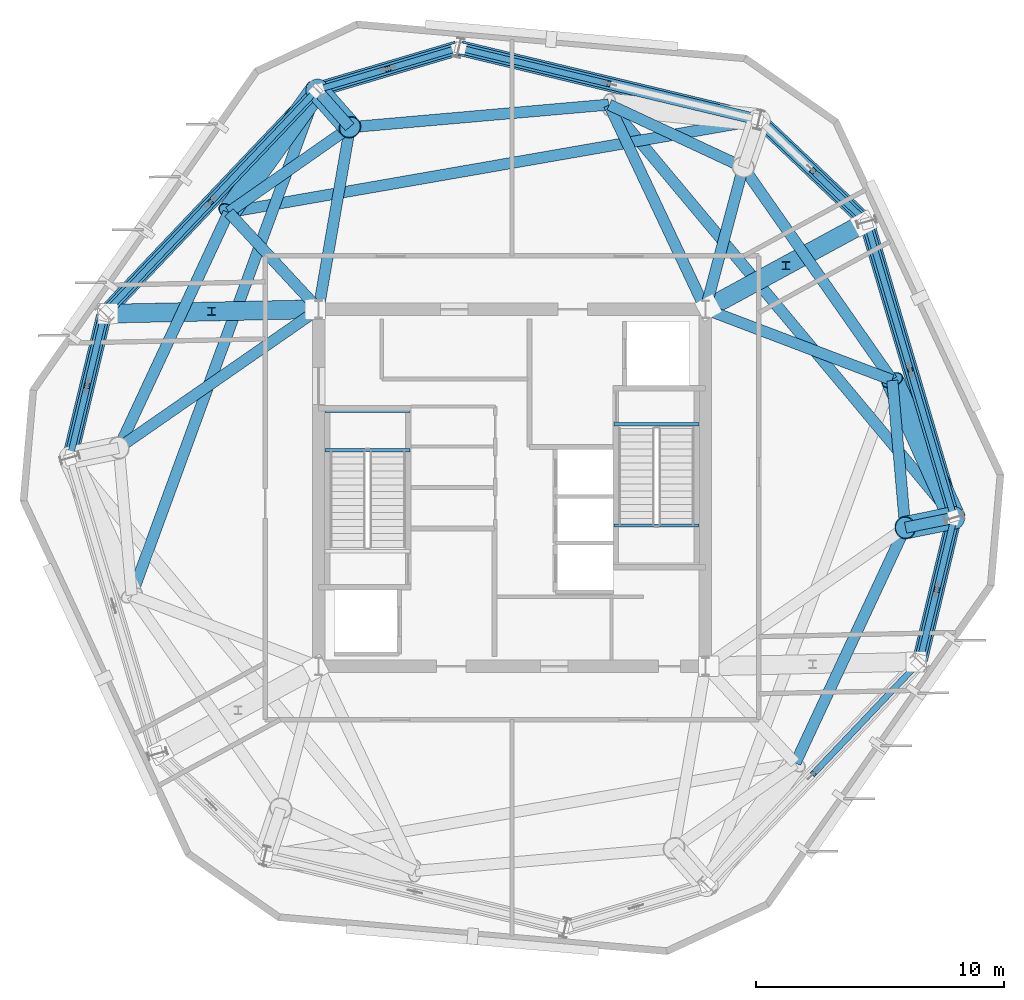
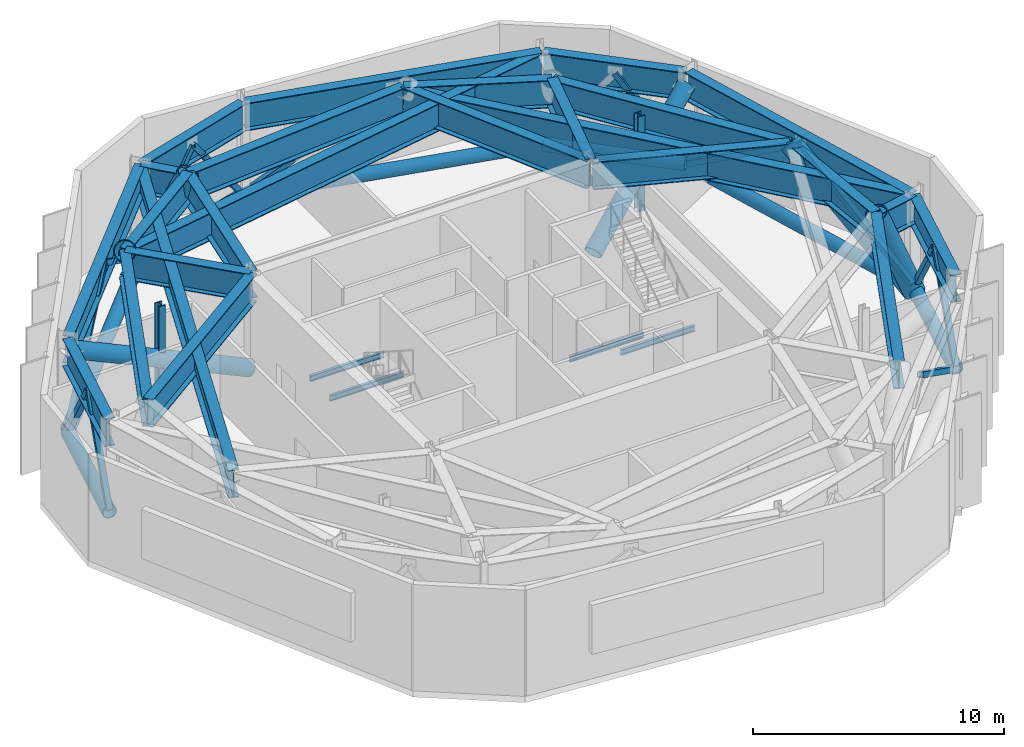
# One storey, part 2 of 10: 29 beams, 28 members.
"""IFC4 building model written with IfcOpenShell, lengths in metres."""

from ifc_helpers import new_model, si_unit, direction, frame, origin, origin_2d, place, context, subcontext, project, spatial, hollow_rectangle, hollow_circle, i_section, extrude, material, material_profile, profile_set, type_object, element, save


model = new_model("IFC4")

# Units and contexts
model_context = context("Model", 3, precision=1e-05, world=origin(), true_north=direction((0.0, 1.0)))
body_context = subcontext(model_context, "Body", "Model", "MODEL_VIEW")
ifc_project = project(units=[si_unit("LENGTHUNIT", "METRE"), si_unit("AREAUNIT", "SQUARE_METRE"), si_unit("VOLUMEUNIT", "CUBIC_METRE"), si_unit("PLANEANGLEUNIT", "RADIAN"), si_unit("MASSUNIT", "GRAM", prefix="KILO")], contexts=[model_context])

# Site, building, storey
site_placement = place(None, origin())
site = spatial("IfcSite", under=ifc_project, at=site_placement, CompositionType="ELEMENT")
building_placement = place(site_placement, origin())
building = spatial("IfcBuilding", under=site, at=building_placement, Name="Kranzbogen Civic Tower", CompositionType="ELEMENT")
storey_placement = place(building_placement, frame((0.0, 0.0, 244.800048828125)))
storey = spatial("IfcBuildingStorey", under=building, at=storey_placement, Name="L59", CompositionType="ELEMENT", Elevation=244.800048828125)

# Members
ifc_material_1 = material(Name="Steel S355", Category="steel")
ifc_material_profile_1 = material_profile(ifc_material_1, hollow_circle(Radius=0.304931640625, WallThickness=0.030029296875, at=origin_2d()), Name="CHS 610x30")
ifc_profile_set_1 = profile_set([ifc_material_profile_1], Name="Steel S355")
member_type_1 = type_object("IfcMemberType", Name="Belt Truss Bottom Chord CHS 610x30", PredefinedType="CHORD", material=ifc_profile_set_1)
member_1_placement = place(storey_placement, frame((41.451904296875, 18.06201171875, 0.550048828125), z_axis=(0.233530246338, 0.972349537998, 0.0), x_axis=(-0.972349537998, 0.233530246338, 0.0)))
element("IfcMember", 1, at=member_1_placement, inside=storey, type_object=member_type_1, Name="RNG-1: L59 belt truss bottom chord 05", PredefinedType="CHORD", context=body_context, shape_type="SweptSolid", body=[
    extrude(hollow_circle(Radius=0.304931640625, WallThickness=0.030029296875, at=origin_2d()), origin(), (0.0, 0.0, 1.0), 5.8115234375),
])
member_2_placement = place(storey_placement, frame((42.804931640625, 23.867919921875, 0.550048828125), z_axis=(-0.284007808424, 0.958821967184, 0.0), x_axis=(-0.958821967184, -0.284007808424, 0.0)))
element("IfcMember", 2, at=member_2_placement, inside=storey, type_object=member_type_1, Name="RNG-1: L59 belt truss bottom chord 06", PredefinedType="CHORD", context=body_context, shape_type="SweptSolid", body=[
    extrude(hollow_circle(Radius=0.304931640625, WallThickness=0.030029296875, at=origin_2d()), origin(), (0.0, 0.0, 1.0), 12.284912109375),
])
member_3_placement = place(storey_placement, frame((39.235107421875, 35.779052734375, 0.550048828125), z_axis=(-0.725367430989, 0.688361888879, 0.0), x_axis=(-0.688361888879, -0.725367430989, 0.0)))
element("IfcMember", 3, at=member_3_placement, inside=storey, type_object=member_type_1, Name="RNG-1: L59 belt truss bottom chord 07", PredefinedType="CHORD", context=body_context, shape_type="SweptSolid", body=[
    extrude(hollow_circle(Radius=0.304931640625, WallThickness=0.030029296875, at=origin_2d()), origin(), (0.0, 0.0, 1.0), 5.812255859375),
])
member_4_placement = place(storey_placement, frame((34.883056640625, 39.85400390625, 0.550048828125), z_axis=(-0.972384956716, 0.233382724195, 0.0), x_axis=(-0.233382724195, -0.972384956716, 0.0)))
element("IfcMember", 4, at=member_4_placement, inside=storey, type_object=member_type_1, Name="RNG-1: L59 belt truss bottom chord 08", PredefinedType="CHORD", context=body_context, shape_type="SweptSolid", body=[
    extrude(hollow_circle(Radius=0.304931640625, WallThickness=0.030029296875, at=origin_2d()), origin(), (0.0, 0.0, 1.0), 12.2841796875),
])
member_5_placement = place(storey_placement, frame((22.782958984375, 42.717041015625, 0.550048828125), z_axis=(-0.958850218904, -0.283912412037, 0.0), x_axis=(0.283912412037, -0.958850218904, 0.0)))
element("IfcMember", 5, at=member_5_placement, inside=storey, type_object=member_type_1, Name="RNG-1: L59 belt truss bottom chord 09", PredefinedType="CHORD", context=body_context, shape_type="SweptSolid", body=[
    extrude(hollow_circle(Radius=0.304931640625, WallThickness=0.030029296875, at=origin_2d()), origin(), (0.0, 0.0, 1.0), 5.812255859375),
])
member_6_placement = place(storey_placement, frame((17.077880859375, 40.986083984375, 0.550048828125), z_axis=(-0.688291808175, -0.725433930002, 0.0), x_axis=(0.725433930002, -0.688291808175, 0.0)))
element("IfcMember", 6, at=member_6_placement, inside=storey, type_object=member_type_1, Name="RNG-1: L59 belt truss bottom chord 10", PredefinedType="CHORD", context=body_context, shape_type="SweptSolid", body=[
    extrude(hollow_circle(Radius=0.304931640625, WallThickness=0.030029296875, at=origin_2d()), origin(), (0.0, 0.0, 1.0), 12.28515625),
])
member_7_placement = place(storey_placement, frame((8.548095703125, 31.93798828125, 0.550048828125), z_axis=(-0.233530246338, -0.972349537998, 0.0), x_axis=(0.972349537998, -0.233530246338, 0.0)))
element("IfcMember", 7, at=member_7_placement, inside=storey, type_object=member_type_1, Name="RNG-1: L59 belt truss bottom chord 11", PredefinedType="CHORD", context=body_context, shape_type="SweptSolid", body=[
    extrude(hollow_circle(Radius=0.304931640625, WallThickness=0.030029296875, at=origin_2d()), origin(), (0.0, 0.0, 1.0), 5.8115234375),
])
ifc_material_2 = material(Name="Steel S460", Category="steel")
ifc_material_profile_2 = material_profile(ifc_material_2, hollow_circle(Radius=0.381103515625, WallThickness=0.031982421875, at=origin_2d()), Name="CHS 762x32")
ifc_profile_set_2 = profile_set([ifc_material_profile_2], Name="Steel S460")
member_type_2 = type_object("IfcMemberType", Name="Outrigger Truss Chord CHS 762x32", PredefinedType="CHORD", material=ifc_profile_set_2)
member_8_placement = place(storey_placement, frame((32.931884765625, 32.27197265625, 0.550048828125), z_axis=(0.768660792644, 0.417108594268, 0.484954643693), x_axis=(-0.476946653565, 0.878932244063, 0.0)))
element("IfcMember", 8, at=member_8_placement, inside=storey, type_object=member_type_2, Name="OUT-1: L59 radial outrigger strut 3", PredefinedType="CHORD", context=body_context, shape_type="SweptSolid", body=[
    extrude(hollow_circle(Radius=0.381103515625, WallThickness=0.031982421875, at=origin_2d()), origin(), (0.0, 0.0, 1.0), 8.103759765625),
])
member_9_placement = place(storey_placement, frame((17.050048828125, 32.197021484375, 0.550048828125), z_axis=(-0.904293549718, -0.019314133298, 0.426474079158), x_axis=(0.021353386296, -0.999771990453, 0.0)))
element("IfcMember", 9, at=member_9_placement, inside=storey, type_object=member_type_2, Name="OUT-1: L59 radial outrigger strut 4", PredefinedType="CHORD", context=body_context, shape_type="SweptSolid", body=[
    extrude(hollow_circle(Radius=0.381103515625, WallThickness=0.031982421875, at=origin_2d()), origin(), (0.0, 0.0, 1.0), 9.21484375),
])
ifc_material_profile_3 = material_profile(ifc_material_1, i_section(OverallWidth=0.31005859375, OverallDepth=0.340087890625, WebThickness=0.02099609375, FlangeThickness=0.0390625, at=origin_2d()), Name="HEM 300")
ifc_profile_set_3 = profile_set([ifc_material_profile_3], Name="Steel S355")
member_type_3 = type_object("IfcMemberType", Name="Outrigger Truss Vertical Post HEM 300", PredefinedType="POST", material=ifc_profile_set_3)
for number, where, z_axis, x_axis, name in (
    (10, (36.047119140625, 33.9619140625, 0.550048828125), (0.0, 0.0, 1.0), (1.0, 0.0, 0.0), "PST-3: L59 outrigger web post 3"),
    (11, (12.884033203125, 32.10791015625, 0.550048828125), (0.0, 0.0, 1.0), (1.0, 0.0, 0.0), "PST-3: L59 outrigger web post 4"),
):
    element("IfcMember", number, at=place(storey_placement, frame(where, z_axis=z_axis, x_axis=x_axis)), inside=storey, type_object=member_type_3, Name=name, PredefinedType="POST", context=body_context, shape_type="SweptSolid", body=[
        extrude(i_section(OverallWidth=0.31005859375, OverallDepth=0.340087890625, WebThickness=0.02099609375, FlangeThickness=0.0390625, at=origin_2d()), origin(), (0.0, 0.0, 1.0), 4.6298828125),
    ])
ifc_material_profile_4 = material_profile(ifc_material_2, hollow_circle(Radius=0.45703125, WallThickness=0.035888671875, at=origin_2d()), Name="CHS 914x36")
ifc_profile_set_4 = profile_set([ifc_material_profile_4], Name="Steel S460")
member_type_4 = type_object("IfcMemberType", Name="Portal Arch Thrust Strut CHS 914x36", PredefinedType="STRUT", material=ifc_profile_set_4)
member_10_placement = place(storey_placement, frame((42.827880859375, 23.791015625, 0.349853515625), z_axis=(-0.383786635251, -0.078030125197, 0.920119078252), x_axis=(0.199240071338, -0.979950709971, 0.0)))
element("IfcMember", 12, at=member_10_placement, inside=storey, type_object=member_type_4, Name="STR-1: L59 inclined perimeter transfer strut 06", PredefinedType="STRUT", context=body_context, shape_type="SweptSolid", body=[
    extrude(hollow_circle(Radius=0.45703125, WallThickness=0.035888671875, at=origin_2d()), origin(), (0.0, 0.0, 1.0), 5.140625),
])
member_11_placement = place(storey_placement, frame((42.827880859375, 23.791015625, 0.349853515625), z_axis=(-0.323654558927, 0.720024459287, 0.613850555522), x_axis=(-0.912090399557, -0.4099891499, 0.0)))
element("IfcMember", 13, at=member_11_placement, inside=storey, type_object=member_type_4, Name="STR-1: L59 inclined perimeter transfer strut 07", PredefinedType="STRUT", context=body_context, shape_type="SweptSolid", body=[
    extrude(hollow_circle(Radius=0.45703125, WallThickness=0.035888671875, at=origin_2d()), origin(), (0.0, 0.0, 1.0), 7.705322265625),
])
member_12_placement = place(storey_placement, frame((17.133056640625, 41.0439453125, 0.349853515625), z_axis=(0.25949632488, -0.293358125693, 0.920110138768), x_axis=(0.749012763588, 0.662555567467, 0.0)))
element("IfcMember", 14, at=member_12_placement, inside=storey, type_object=member_type_4, Name="STR-1: L59 inclined perimeter transfer strut 10", PredefinedType="STRUT", context=body_context, shape_type="SweptSolid", body=[
    extrude(hollow_circle(Radius=0.45703125, WallThickness=0.035888671875, at=origin_2d()), origin(), (0.0, 0.0, 1.0), 5.140625),
])
member_13_placement = place(storey_placement, frame((17.133056640625, 41.0439453125, 0.349853515625), z_axis=(-0.461758461529, -0.640296195213, 0.613840293238), x_axis=(0.811086486954, -0.584926243796, 0.0)))
element("IfcMember", 15, at=member_13_placement, inside=storey, type_object=member_type_4, Name="STR-1: L59 inclined perimeter transfer strut 11", PredefinedType="STRUT", context=body_context, shape_type="SweptSolid", body=[
    extrude(hollow_circle(Radius=0.45703125, WallThickness=0.035888671875, at=origin_2d()), origin(), (0.0, 0.0, 1.0), 7.70556640625),
])

# Beams
ifc_material_profile_5 = material_profile(ifc_material_1, i_section(OverallWidth=0.135009765625, OverallDepth=0.27001953125, WebThickness=0.006591796875, FlangeThickness=0.01025390625, at=origin_2d()), Name="IPE 270")
ifc_profile_set_5 = profile_set([ifc_material_profile_5], Name="Steel S355")
beam_type_1 = type_object("IfcBeamType", Name="Stair Landing Support Beam IPE 270", PredefinedType="JOIST", material=ifc_profile_set_5)
for number, where, z_axis, x_axis, name in (
    (16, (20.8798828125, 26.52001953125, 2.364990234375), (-1.0, 0.0, 0.0), (0.0, -1.0, 0.0), "L59 ST-T1 landing support beam 1.1"),
    (17, (20.8798828125, 28.10009765625, 2.364990234375), (-1.0, 0.0, 0.0), (0.0, -1.0, 0.0), "L59 ST-T1 landing support beam 1.2"),
    (18, (29.1201171875, 27.56005859375, -0.43505859375), (1.0, 0.0, 0.0), (0.0, 1.0, 0.0), "L59 ST-T2 stair floor header beam"),
    (19, (29.1201171875, 23.47998046875, 2.364990234375), (1.0, 0.0, 0.0), (0.0, 1.0, 0.0), "L59 ST-T2 landing support beam 1.1"),
):
    element("IfcBeam", number, at=place(storey_placement, frame(where, z_axis=z_axis, x_axis=x_axis)), inside=storey, type_object=beam_type_1, Name=name, PredefinedType="JOIST", context=body_context, shape_type="SweptSolid", body=[
        extrude(i_section(OverallWidth=0.135009765625, OverallDepth=0.27001953125, WebThickness=0.006591796875, FlangeThickness=0.01025390625, at=origin_2d()), origin(), (0.0, 0.0, 1.0), 3.409912109375),
    ])
ifc_material_profile_6 = material_profile(ifc_material_2, i_section(OverallWidth=0.449951171875, OverallDepth=1.35009765625, WebThickness=0.02392578125, FlangeThickness=0.0380859375, at=origin_2d()), Name="WPG 1350x450x24x38")
ifc_profile_set_6 = profile_set([ifc_material_profile_6], Name="Steel S460")
beam_type_2 = type_object("IfcBeamType", Name="Welded Transfer Girder WPG 1350x450x24x38", PredefinedType="BEAM", material=ifc_profile_set_6)
beam_1_placement = place(storey_placement, frame((41.447021484375, 18.0419921875, 4.454833984375), z_axis=(0.233554380434, 0.972343741369, 0.0), x_axis=(-0.972343741369, 0.233554380434, 0.0)))
element("IfcBeam", 20, at=beam_1_placement, inside=storey, type_object=beam_type_2, Name="TG-1350: L59 lower perimeter transfer ring girder 05", PredefinedType="BEAM", context=body_context, shape_type="SweptSolid", body=[
    extrude(i_section(OverallWidth=0.449951171875, OverallDepth=1.35009765625, WebThickness=0.02392578125, FlangeThickness=0.0380859375, at=origin_2d()), origin(), (0.0, 0.0, 1.0), 5.852783203125),
])
beam_2_placement = place(storey_placement, frame((42.81103515625, 23.84912109375, 4.454833984375), z_axis=(-0.284064048956, 0.958805306666, 0.0), x_axis=(-0.958805306666, -0.284064048956, 0.0)))
element("IfcBeam", 21, at=beam_2_placement, inside=storey, type_object=beam_type_2, Name="TG-1350: L59 lower perimeter transfer ring girder 06", PredefinedType="BEAM", context=body_context, shape_type="SweptSolid", body=[
    extrude(i_section(OverallWidth=0.449951171875, OverallDepth=1.35009765625, WebThickness=0.02392578125, FlangeThickness=0.0380859375, at=origin_2d()), origin(), (0.0, 0.0, 1.0), 12.32470703125),
])
beam_3_placement = place(storey_placement, frame((39.2490234375, 35.764892578125, 4.454833984375), z_axis=(-0.725245206788, 0.688490660816, 0.0), x_axis=(-0.688490660816, -0.725245206788, 0.0)))
element("IfcBeam", 22, at=beam_3_placement, inside=storey, type_object=beam_type_2, Name="TG-1350: L59 lower perimeter transfer ring girder 07", PredefinedType="BEAM", context=body_context, shape_type="SweptSolid", body=[
    extrude(i_section(OverallWidth=0.449951171875, OverallDepth=1.35009765625, WebThickness=0.02392578125, FlangeThickness=0.0380859375, at=origin_2d()), origin(), (0.0, 0.0, 1.0), 5.85205078125),
])
beam_4_placement = place(storey_placement, frame((34.903076171875, 39.84912109375, 4.454833984375), z_axis=(-0.972377592092, 0.233413406637, 0.0), x_axis=(-0.233413406637, -0.972377592092, 0.0)))
element("IfcBeam", 23, at=beam_4_placement, inside=storey, type_object=beam_type_2, Name="TG-1350: L59 lower perimeter transfer ring girder 08", PredefinedType="BEAM", context=body_context, shape_type="SweptSolid", body=[
    extrude(i_section(OverallWidth=0.449951171875, OverallDepth=1.35009765625, WebThickness=0.02392578125, FlangeThickness=0.0380859375, at=origin_2d()), origin(), (0.0, 0.0, 1.0), 12.32568359375),
])
beam_5_placement = place(storey_placement, frame((22.802001953125, 42.722900390625, 4.454833984375), z_axis=(-0.9588296723, -0.283981794341, 0.0), x_axis=(0.283981794341, -0.9588296723, 0.0)))
element("IfcBeam", 24, at=beam_5_placement, inside=storey, type_object=beam_type_2, Name="TG-1350: L59 lower perimeter transfer ring girder 09", PredefinedType="BEAM", context=body_context, shape_type="SweptSolid", body=[
    extrude(i_section(OverallWidth=0.449951171875, OverallDepth=1.35009765625, WebThickness=0.02392578125, FlangeThickness=0.0380859375, at=origin_2d()), origin(), (0.0, 0.0, 1.0), 5.85205078125),
])
beam_6_placement = place(storey_placement, frame((17.092041015625, 41.0, 4.454833984375), z_axis=(-0.688373497874, -0.725356414065, 0.0), x_axis=(0.725356414065, -0.688373497874, 0.0)))
element("IfcBeam", 25, at=beam_6_placement, inside=storey, type_object=beam_type_2, Name="TG-1350: L59 lower perimeter transfer ring girder 10", PredefinedType="BEAM", context=body_context, shape_type="SweptSolid", body=[
    extrude(i_section(OverallWidth=0.449951171875, OverallDepth=1.35009765625, WebThickness=0.02392578125, FlangeThickness=0.0380859375, at=origin_2d()), origin(), (0.0, 0.0, 1.0), 12.324951171875),
])
beam_7_placement = place(storey_placement, frame((8.552978515625, 31.9580078125, 4.454833984375), z_axis=(-0.233554380434, -0.972343741369, 0.0), x_axis=(0.972343741369, -0.233554380434, 0.0)))
element("IfcBeam", 26, at=beam_7_placement, inside=storey, type_object=beam_type_2, Name="TG-1350: L59 lower perimeter transfer ring girder 11", PredefinedType="BEAM", context=body_context, shape_type="SweptSolid", body=[
    extrude(i_section(OverallWidth=0.449951171875, OverallDepth=1.35009765625, WebThickness=0.02392578125, FlangeThickness=0.0380859375, at=origin_2d()), origin(), (0.0, 0.0, 1.0), 5.852783203125),
])
beam_8_placement = place(storey_placement, frame((36.430908203125, 13.904052734375, 4.5048828125), z_axis=(0.422726890812, 0.906257124543, 0.0), x_axis=(-0.906257124543, 0.422726890812, 0.0)))
element("IfcBeam", 27, at=beam_8_placement, inside=storey, type_object=beam_type_2, Name="TG-1350: L59 upper perimeter transfer ring girder 05", PredefinedType="BEAM", context=body_context, shape_type="SweptSolid", body=[
    extrude(i_section(OverallWidth=0.449951171875, OverallDepth=1.35009765625, WebThickness=0.02392578125, FlangeThickness=0.0380859375, at=origin_2d()), origin(), (0.0, 0.0, 1.0), 10.45166015625),
])
beam_9_placement = place(storey_placement, frame((40.85400390625, 23.405029296875, 4.5048828125), z_axis=(-0.087356563764, 0.996177108133, 0.0), x_axis=(-0.996177108133, -0.087356563764, 0.0)))
element("IfcBeam", 28, at=beam_9_placement, inside=storey, type_object=beam_type_2, Name="TG-1350: L59 upper perimeter transfer ring girder 06", PredefinedType="BEAM", context=body_context, shape_type="SweptSolid", body=[
    extrude(i_section(OverallWidth=0.449951171875, OverallDepth=1.35009765625, WebThickness=0.02392578125, FlangeThickness=0.0380859375, at=origin_2d()), origin(), (0.0, 0.0, 1.0), 5.941650390625),
])
beam_10_placement = place(storey_placement, frame((40.324951171875, 29.35107421875, 4.5048828125), z_axis=(-0.57344980336, 0.819240699078, 0.0), x_axis=(-0.819240699078, -0.57344980336, 0.0)))
element("IfcBeam", 29, at=beam_10_placement, inside=storey, type_object=beam_type_2, Name="TG-1350: L59 upper perimeter transfer ring girder 07", PredefinedType="BEAM", context=body_context, shape_type="SweptSolid", body=[
    extrude(i_section(OverallWidth=0.449951171875, OverallDepth=1.35009765625, WebThickness=0.02392578125, FlangeThickness=0.0380859375, at=origin_2d()), origin(), (0.0, 0.0, 1.0), 10.452392578125),
])
beam_11_placement = place(storey_placement, frame((34.30810546875, 37.931884765625, 4.5048828125), z_axis=(-0.906234565805, 0.422775249677, 0.0), x_axis=(-0.422775249677, -0.906234565805, 0.0)))
element("IfcBeam", 30, at=beam_11_placement, inside=storey, type_object=beam_type_2, Name="TG-1350: L59 upper perimeter transfer ring girder 08", PredefinedType="BEAM", context=body_context, shape_type="SweptSolid", body=[
    extrude(i_section(OverallWidth=0.449951171875, OverallDepth=1.35009765625, WebThickness=0.02392578125, FlangeThickness=0.0380859375, at=origin_2d()), origin(), (0.0, 0.0, 1.0), 5.942138671875),
])
beam_12_placement = place(storey_placement, frame((28.89404296875, 40.448974609375, 4.5048828125), z_axis=(-0.996187021082, -0.087243446908, 0.0), x_axis=(0.087243446908, -0.996187021082, 0.0)))
element("IfcBeam", 31, at=beam_12_placement, inside=storey, type_object=beam_type_2, Name="TG-1350: L59 upper perimeter transfer ring girder 09", PredefinedType="BEAM", context=body_context, shape_type="SweptSolid", body=[
    extrude(i_section(OverallWidth=0.449951171875, OverallDepth=1.35009765625, WebThickness=0.02392578125, FlangeThickness=0.0380859375, at=origin_2d()), origin(), (0.0, 0.0, 1.0), 10.451904296875),
])
beam_13_placement = place(storey_placement, frame((18.455078125, 39.527099609375, 4.5048828125), z_axis=(-0.819193317267, -0.573517487916, 0.0), x_axis=(0.573517487916, -0.819193317267, 0.0)))
element("IfcBeam", 32, at=beam_13_placement, inside=storey, type_object=beam_type_2, Name="TG-1350: L59 upper perimeter transfer ring girder 10", PredefinedType="BEAM", context=body_context, shape_type="SweptSolid", body=[
    extrude(i_section(OverallWidth=0.449951171875, OverallDepth=1.35009765625, WebThickness=0.02392578125, FlangeThickness=0.0380859375, at=origin_2d()), origin(), (0.0, 0.0, 1.0), 5.942626953125),
])
beam_14_placement = place(storey_placement, frame((13.569091796875, 36.095947265625, 4.5048828125), z_axis=(-0.422726890812, -0.906257124543, 0.0), x_axis=(0.906257124543, -0.422726890812, 0.0)))
element("IfcBeam", 33, at=beam_14_placement, inside=storey, type_object=beam_type_2, Name="TG-1350: L59 upper perimeter transfer ring girder 11", PredefinedType="BEAM", context=body_context, shape_type="SweptSolid", body=[
    extrude(i_section(OverallWidth=0.449951171875, OverallDepth=1.35009765625, WebThickness=0.02392578125, FlangeThickness=0.0380859375, at=origin_2d()), origin(), (0.0, 0.0, 1.0), 10.45166015625),
])
beam_15_placement = place(storey_placement, frame((17.115966796875, 40.9970703125, 4.454833984375), z_axis=(-0.34399643493, -0.93897095416, 0.0), x_axis=(0.93897095416, -0.34399643493, 0.0)))
element("IfcBeam", 34, at=beam_15_placement, inside=storey, type_object=beam_type_2, Name="TG-1350: L59 perimeter column transfer girder 01", PredefinedType="BEAM", context=body_context, shape_type="SweptSolid", body=[
    extrude(i_section(OverallWidth=0.449951171875, OverallDepth=1.35009765625, WebThickness=0.02392578125, FlangeThickness=0.0380859375, at=origin_2d()), origin(), (0.0, 0.0, 1.0), 21.642822265625),
])
beam_16_placement = place(storey_placement, frame((42.779052734375, 23.781005859375, 4.454833984375), z_axis=(-0.979968596305, -0.199152078211, 0.0), x_axis=(0.199152078211, -0.979968596305, 0.0)))
element("IfcBeam", 35, at=beam_16_placement, inside=storey, type_object=beam_type_2, Name="TG-1350: L59 perimeter column transfer girder 06", PredefinedType="BEAM", context=body_context, shape_type="SweptSolid", body=[
    extrude(i_section(OverallWidth=0.449951171875, OverallDepth=1.35009765625, WebThickness=0.02392578125, FlangeThickness=0.0380859375, at=origin_2d()), origin(), (0.0, 0.0, 1.0), 1.947998046875),
])
beam_17_placement = place(storey_placement, frame((32.85595703125, 32.178955078125, 4.5048828125), z_axis=(0.934841847764, -0.355064388062, 0.0), x_axis=(0.355064388062, 0.934841847764, 0.0)))
element("IfcBeam", 36, at=beam_17_placement, inside=storey, type_object=beam_type_2, Name="TG-1350: L59 radial column transfer girder 07", PredefinedType="BEAM", context=body_context, shape_type="SweptSolid", body=[
    extrude(i_section(OverallWidth=0.449951171875, OverallDepth=1.35009765625, WebThickness=0.02392578125, FlangeThickness=0.0380859375, at=origin_2d()), origin(), (0.0, 0.0, 1.0), 7.984375),
])
beam_18_placement = place(storey_placement, frame((32.81494140625, 32.258056640625, 4.5048828125), z_axis=(0.256932731753, 0.966429289371, 0.0), x_axis=(-0.966429289371, 0.256932731753, 0.0)))
element("IfcBeam", 37, at=beam_18_placement, inside=storey, type_object=beam_type_2, Name="TG-1350: L59 radial column transfer girder 08", PredefinedType="BEAM", context=body_context, shape_type="SweptSolid", body=[
    extrude(i_section(OverallWidth=0.449951171875, OverallDepth=1.35009765625, WebThickness=0.02392578125, FlangeThickness=0.0380859375, at=origin_2d()), origin(), (0.0, 0.0, 1.0), 5.850341796875),
])
beam_19_placement = place(storey_placement, frame((32.77392578125, 32.25390625, 4.5048828125), z_axis=(-0.426563694078, 0.904457525202, 0.0), x_axis=(-0.904457525202, -0.426563694078, 0.0)))
element("IfcBeam", 38, at=beam_19_placement, inside=storey, type_object=beam_type_2, Name="TG-1350: L59 radial column transfer girder 09", PredefinedType="BEAM", context=body_context, shape_type="SweptSolid", body=[
    extrude(i_section(OverallWidth=0.449951171875, OverallDepth=1.35009765625, WebThickness=0.02392578125, FlangeThickness=0.0380859375, at=origin_2d()), origin(), (0.0, 0.0, 1.0), 9.04638671875),
])
beam_20_placement = place(storey_placement, frame((42.7958984375, 23.8291015625, 4.454833984375), z_axis=(-0.641171357955, 0.767397738945, 0.0), x_axis=(-0.767397738945, -0.641171357955, 0.0)))
element("IfcBeam", 39, at=beam_20_placement, inside=storey, type_object=beam_type_2, Name="TG-1350: L59 perimeter column transfer girder 09", PredefinedType="BEAM", context=body_context, shape_type="SweptSolid", body=[
    extrude(i_section(OverallWidth=0.449951171875, OverallDepth=1.35009765625, WebThickness=0.02392578125, FlangeThickness=0.0380859375, at=origin_2d()), origin(), (0.0, 0.0, 1.0), 21.64306640625),
])
beam_21_placement = place(storey_placement, frame((17.2099609375, 32.259033203125, 4.5048828125), z_axis=(0.170182038615, 0.98541264135, 0.0), x_axis=(-0.98541264135, 0.170182038615, 0.0)))
element("IfcBeam", 40, at=beam_21_placement, inside=storey, type_object=beam_type_2, Name="TG-1350: L59 radial column transfer girder 10", PredefinedType="BEAM", context=body_context, shape_type="SweptSolid", body=[
    extrude(i_section(OverallWidth=0.449951171875, OverallDepth=1.35009765625, WebThickness=0.02392578125, FlangeThickness=0.0380859375, at=origin_2d()), origin(), (0.0, 0.0, 1.0), 7.369384765625),
])
beam_22_placement = place(storey_placement, frame((17.166015625, 41.007080078125, 4.454833984375), z_axis=(0.662433317457, -0.749120884719, 0.0), x_axis=(0.749120884719, 0.662433317457, 0.0)))
element("IfcBeam", 41, at=beam_22_placement, inside=storey, type_object=beam_type_2, Name="TG-1350: L59 perimeter column transfer girder 10", PredefinedType="BEAM", context=body_context, shape_type="SweptSolid", body=[
    extrude(i_section(OverallWidth=0.449951171875, OverallDepth=1.35009765625, WebThickness=0.02392578125, FlangeThickness=0.0380859375, at=origin_2d()), origin(), (0.0, 0.0, 1.0), 1.948974609375),
])
beam_23_placement = place(storey_placement, frame((17.158935546875, 32.243896484375, 4.5048828125), z_axis=(-0.679850572729, 0.733350665617, 0.0), x_axis=(-0.733350665617, -0.679850572729, 0.0)))
element("IfcBeam", 42, at=beam_23_placement, inside=storey, type_object=beam_type_2, Name="TG-1350: L59 radial column transfer girder 11", PredefinedType="BEAM", context=body_context, shape_type="SweptSolid", body=[
    extrude(i_section(OverallWidth=0.449951171875, OverallDepth=1.35009765625, WebThickness=0.02392578125, FlangeThickness=0.0380859375, at=origin_2d()), origin(), (0.0, 0.0, 1.0), 5.257080078125),
])
beam_24_placement = place(storey_placement, frame((34.912109375, 39.825927734375, 4.454833984375), z_axis=(-0.985174972485, -0.171552538862, 0.0), x_axis=(0.171552538862, -0.985174972485, 0.0)))
element("IfcBeam", 43, at=beam_24_placement, inside=storey, type_object=beam_type_2, Name="TG-1350: L59 perimeter column transfer girder 11", PredefinedType="BEAM", context=body_context, shape_type="SweptSolid", body=[
    extrude(i_section(OverallWidth=0.449951171875, OverallDepth=1.35009765625, WebThickness=0.02392578125, FlangeThickness=0.0380859375, at=origin_2d()), origin(), (0.0, 0.0, 1.0), 21.642822265625),
])
beam_25_placement = place(storey_placement, frame((17.15087890625, 32.166015625, 4.5048828125), z_axis=(-0.821572043962, -0.570104706681, 0.0), x_axis=(0.570104706681, -0.821572043962, 0.0)))
element("IfcBeam", 44, at=beam_25_placement, inside=storey, type_object=beam_type_2, Name="TG-1350: L59 radial column transfer girder 12", PredefinedType="BEAM", context=body_context, shape_type="SweptSolid", body=[
    extrude(i_section(OverallWidth=0.449951171875, OverallDepth=1.35009765625, WebThickness=0.02392578125, FlangeThickness=0.0380859375, at=origin_2d()), origin(), (0.0, 0.0, 1.0), 9.72998046875),
])

# Members
ifc_material_profile_7 = material_profile(ifc_material_1, hollow_rectangle(XDim=0.25, YDim=0.25, WallThickness=0.01611328125, at=origin_2d()), Name="SHS 250x250x16")
ifc_profile_set_7 = profile_set([ifc_material_profile_7], Name="Steel S355")
member_type_5 = type_object("IfcMemberType", Name="Zone 3 Belt Truss Diagonal SHS 250x250x16", PredefinedType="BRACE", material=ifc_profile_set_7)
member_14_placement = place(storey_placement, frame((41.3779296875, 17.926025390625, 0.64990234375), z_axis=(-0.581929113992, -0.613313903949, 0.534045467645), x_axis=(0.725424007408, -0.688302266069, 0.0)))
element("IfcMember", 45, at=member_14_placement, inside=storey, type_object=member_type_5, Name="DG-250: L59 belt truss diagonal 04B", PredefinedType="BRACE", context=body_context, shape_type="SweptSolid", body=[
    extrude(hollow_rectangle(XDim=0.25, YDim=0.25, WallThickness=0.01611328125, at=origin_2d()), origin(), (0.0, 0.0, 1.0), 7.265625),
])
member_15_placement = place(storey_placement, frame((41.451904296875, 18.06201171875, 0.64990234375), z_axis=(0.139853588469, 0.582933124424, 0.800393619566), x_axis=(-0.972406362849, 0.233293517895, 0.0)))
element("IfcMember", 46, at=member_15_placement, inside=storey, type_object=member_type_5, Name="DG-250: L59 belt truss diagonal 05A", PredefinedType="BRACE", context=body_context, shape_type="SweptSolid", body=[
    extrude(hollow_rectangle(XDim=0.25, YDim=0.25, WallThickness=0.01611328125, at=origin_2d()), origin(), (0.0, 0.0, 1.0), 4.84765625),
])
member_16_placement = place(storey_placement, frame((42.80908203125, 23.712890625, 0.64990234375), z_axis=(-0.14011690808, -0.582779562685, 0.800459388968), x_axis=(0.972292642502, -0.233767015076, 0.0)))
element("IfcMember", 47, at=member_16_placement, inside=storey, type_object=member_type_5, Name="DG-250: L59 belt truss diagonal 05B", PredefinedType="BRACE", context=body_context, shape_type="SweptSolid", body=[
    extrude(hollow_rectangle(XDim=0.25, YDim=0.25, WallThickness=0.01611328125, at=origin_2d()), origin(), (0.0, 0.0, 1.0), 4.847412109375),
])
member_17_placement = place(storey_placement, frame((42.804931640625, 23.867919921875, 0.64990234375), z_axis=(-0.24001796968, 0.810678081548, 0.534034102215), x_axis=(-0.958857031061, -0.283889404496, 0.0)))
element("IfcMember", 48, at=member_17_placement, inside=storey, type_object=member_type_5, Name="DG-250: L59 belt truss diagonal 06A", PredefinedType="BRACE", context=body_context, shape_type="SweptSolid", body=[
    extrude(hollow_rectangle(XDim=0.25, YDim=0.25, WallThickness=0.01611328125, at=origin_2d()), origin(), (0.0, 0.0, 1.0), 7.265625),
])
member_18_placement = place(storey_placement, frame((39.31591796875, 35.64697265625, 0.64990234375), z_axis=(0.240209003538, -0.810587769215, 0.53408529564), x_axis=(0.95878688398, 0.2841262239, 0.0)))
element("IfcMember", 49, at=member_18_placement, inside=storey, type_object=member_type_5, Name="DG-250: L59 belt truss diagonal 06B", PredefinedType="BRACE", context=body_context, shape_type="SweptSolid", body=[
    extrude(hollow_rectangle(XDim=0.25, YDim=0.25, WallThickness=0.01611328125, at=origin_2d()), origin(), (0.0, 0.0, 1.0), 7.264892578125),
])
member_19_placement = place(storey_placement, frame((39.235107421875, 35.779052734375, 0.64990234375), z_axis=(-0.434881804955, 0.412571134475, 0.800414189478), x_axis=(-0.688252495494, -0.725471227855, 0.0)))
element("IfcMember", 50, at=member_19_placement, inside=storey, type_object=member_type_5, Name="DG-250: L59 belt truss diagonal 07A", PredefinedType="BRACE", context=body_context, shape_type="SweptSolid", body=[
    extrude(hollow_rectangle(XDim=0.25, YDim=0.25, WallThickness=0.01611328125, at=origin_2d()), origin(), (0.0, 0.0, 1.0), 4.84765625),
])
member_20_placement = place(storey_placement, frame((22.93798828125, 42.720947265625, 0.64990234375), z_axis=(0.822052433901, -0.197371895846, 0.534110597767), x_axis=(0.2334616561, 0.972366008832, 0.0)))
element("IfcMember", 51, at=member_20_placement, inside=storey, type_object=member_type_5, Name="DG-250: L59 belt truss diagonal 08B", PredefinedType="BRACE", context=body_context, shape_type="SweptSolid", body=[
    extrude(hollow_rectangle(XDim=0.25, YDim=0.25, WallThickness=0.01611328125, at=origin_2d()), origin(), (0.0, 0.0, 1.0), 7.2646484375),
])
member_21_placement = place(storey_placement, frame((22.782958984375, 42.717041015625, 0.64990234375), z_axis=(-0.574720350921, -0.170184915061, 0.800458376758), x_axis=(0.283930971845, -0.95884472321, 0.0)))
element("IfcMember", 52, at=member_21_placement, inside=storey, type_object=member_type_5, Name="DG-250: L59 belt truss diagonal 09A", PredefinedType="BRACE", context=body_context, shape_type="SweptSolid", body=[
    extrude(hollow_rectangle(XDim=0.25, YDim=0.25, WallThickness=0.01611328125, at=origin_2d()), origin(), (0.0, 0.0, 1.0), 4.847412109375),
])
member_22_placement = place(storey_placement, frame((17.2099609375, 41.06689453125, 0.64990234375), z_axis=(0.574884035336, 0.170209183553, 0.800335666924), x_axis=(-0.283893860039, 0.958855711894, 0.0)))
element("IfcMember", 53, at=member_22_placement, inside=storey, type_object=member_type_5, Name="DG-250: L59 belt truss diagonal 09B", PredefinedType="BRACE", context=body_context, shape_type="SweptSolid", body=[
    extrude(hollow_rectangle(XDim=0.25, YDim=0.25, WallThickness=0.01611328125, at=origin_2d()), origin(), (0.0, 0.0, 1.0), 4.84814453125),
])
member_23_placement = place(storey_placement, frame((17.077880859375, 40.986083984375, 0.64990234375), z_axis=(-0.581906890002, -0.613325896883, 0.534055910539), x_axis=(0.725443852717, -0.688281349852, 0.0)))
element("IfcMember", 54, at=member_23_placement, inside=storey, type_object=member_type_5, Name="DG-250: L59 belt truss diagonal 10A", PredefinedType="BRACE", context=body_context, shape_type="SweptSolid", body=[
    extrude(hollow_rectangle(XDim=0.25, YDim=0.25, WallThickness=0.01611328125, at=origin_2d()), origin(), (0.0, 0.0, 1.0), 7.265380859375),
])
member_24_placement = place(storey_placement, frame((8.6220703125, 32.073974609375, 0.64990234375), z_axis=(0.581929113992, 0.613313903949, 0.534045467645), x_axis=(-0.725424007408, 0.688302266069, 0.0)))
element("IfcMember", 55, at=member_24_placement, inside=storey, type_object=member_type_5, Name="DG-250: L59 belt truss diagonal 10B", PredefinedType="BRACE", context=body_context, shape_type="SweptSolid", body=[
    extrude(hollow_rectangle(XDim=0.25, YDim=0.25, WallThickness=0.01611328125, at=origin_2d()), origin(), (0.0, 0.0, 1.0), 7.265625),
])
member_25_placement = place(storey_placement, frame((8.548095703125, 31.93798828125, 0.64990234375), z_axis=(-0.139853588469, -0.582933124424, 0.800393619566), x_axis=(0.972406362849, -0.233293517895, 0.0)))
element("IfcMember", 56, at=member_25_placement, inside=storey, type_object=member_type_5, Name="DG-250: L59 belt truss diagonal 11A", PredefinedType="BRACE", context=body_context, shape_type="SweptSolid", body=[
    extrude(hollow_rectangle(XDim=0.25, YDim=0.25, WallThickness=0.01611328125, at=origin_2d()), origin(), (0.0, 0.0, 1.0), 4.84765625),
])
member_26_placement = place(storey_placement, frame((7.19091796875, 26.287109375, 0.64990234375), z_axis=(0.14011690808, 0.582779562685, 0.800459388968), x_axis=(-0.972292642502, 0.233767015076, 0.0)))
element("IfcMember", 57, at=member_26_placement, inside=storey, type_object=member_type_5, Name="DG-250: L59 belt truss diagonal 11B", PredefinedType="BRACE", context=body_context, shape_type="SweptSolid", body=[
    extrude(hollow_rectangle(XDim=0.25, YDim=0.25, WallThickness=0.01611328125, at=origin_2d()), origin(), (0.0, 0.0, 1.0), 4.847412109375),
])

save(model, "model.ifc")
